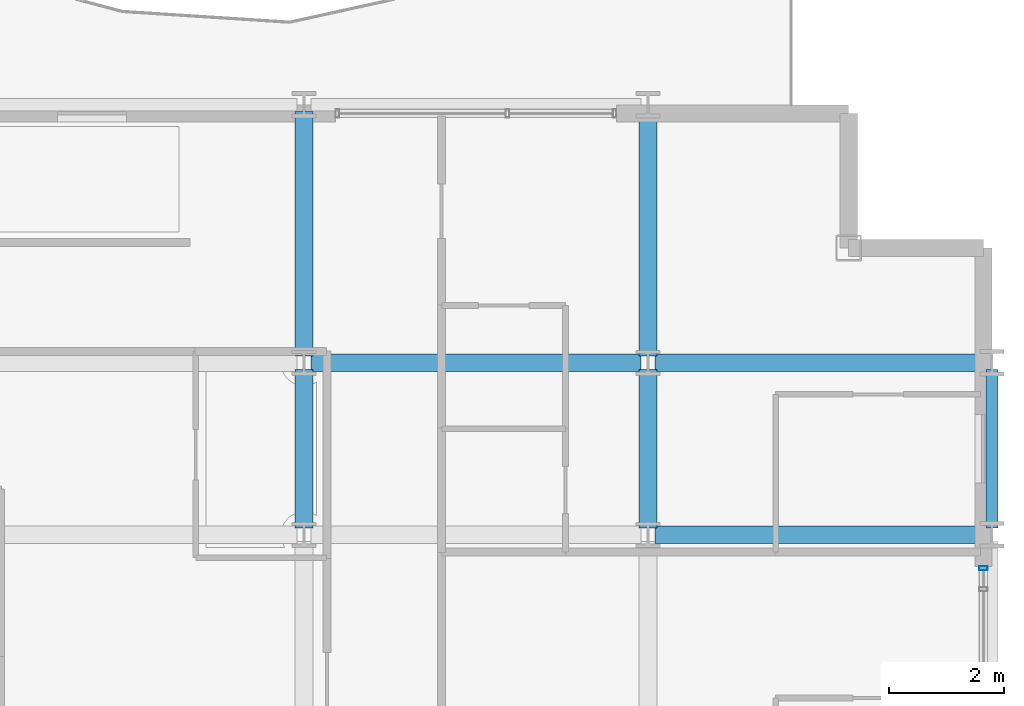
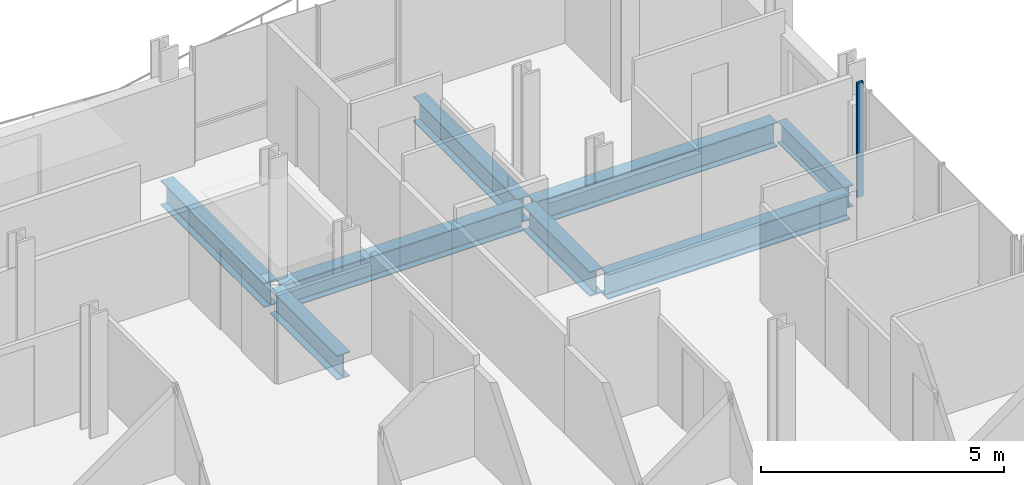
# One storey, part 20 of 41: 8 beams, 1 member, 1 element without a shape of its own.
"""IFC4 building model written with IfcOpenShell, lengths in metres."""

from ifc_helpers import new_model, si_unit, direction, frame, origin, origin_2d, place, context, subcontext, project, spatial, hollow_rectangle, i_section, extrude, material, layer, layer_set, material_profile, profile_set, type_object, element, aggregate, save


model = new_model("IFC4")

# Units and contexts
model_context = context("Model", 3, precision=1e-05, world=origin(), true_north=direction((0.0, 1.0)))
body_context = subcontext(model_context, "Body", "Model", "MODEL_VIEW")
ifc_project = project(units=[si_unit("LENGTHUNIT", "METRE"), si_unit("AREAUNIT", "SQUARE_METRE"), si_unit("VOLUMEUNIT", "CUBIC_METRE"), si_unit("PLANEANGLEUNIT", "RADIAN"), si_unit("MASSUNIT", "GRAM", prefix="KILO")], contexts=[model_context])

# Site, building, storey
site_placement = place(None, origin())
site = spatial("IfcSite", under=ifc_project, at=site_placement, CompositionType="ELEMENT")
building_placement = place(site_placement, origin())
building = spatial("IfcBuilding", under=site, at=building_placement, Name="Brevholm Reach", CompositionType="ELEMENT")
storey_placement = place(building_placement, frame((0.0, 0.0, 74.5)))
storey = spatial("IfcBuildingStorey", under=building, at=storey_placement, Name="L21", CompositionType="ELEMENT", Elevation=74.5)

# Beams
ifc_material_1 = material(Name="Structural Steel S355J2", Category="steel")
ifc_material_profile_1 = material_profile(ifc_material_1, i_section(OverallWidth=0.210693359375, OverallDepth=0.53955078125, WebThickness=0.01171875, FlangeThickness=0.018798828125, FilletRadius=0.0126953125, at=origin_2d()), Name="UKB 533x210x109")
ifc_profile_set_1 = profile_set([ifc_material_profile_1], Name="Structural Steel S355J2")
beam_type_1 = type_object("IfcBeamType", Name="BM-SP539", PredefinedType="SPANDREL", material=ifc_profile_set_1)
beam_1_placement = place(storey_placement, frame((60.0, 23.6201171875, -0.499755859375), z_axis=(0.0, 1.0, 0.0), x_axis=(-1.0, 0.0, 0.0)))
element("IfcBeam", 1, at=beam_1_placement, inside=storey, type_object=beam_type_1, Name="L21 SP-01B Framing Beam", PredefinedType="SPANDREL", context=body_context, shape_type="SweptSolid", body=[
    extrude(i_section(OverallWidth=0.210693359375, OverallDepth=0.53955078125, WebThickness=0.01171875, FlangeThickness=0.018798828125, FilletRadius=0.0126953125, at=origin_2d()), origin(), (0.0, 0.0, 1.0), 2.759765625),
])
ifc_material_2 = material(Name="Structural Steel S355J2", Category="steel")
ifc_material_profile_2 = material_profile(ifc_material_2, i_section(OverallWidth=0.30712890625, OverallDepth=0.6201171875, WebThickness=0.01416015625, FlangeThickness=0.023681640625, FilletRadius=0.0166015625, at=origin_2d()), Name="UKB 610x305x179")
ifc_profile_set_2 = profile_set([ifc_material_profile_2], Name="Structural Steel S355J2")
beam_type_2 = type_object("IfcBeamType", Name="BM-UKB610H", PredefinedType="USERDEFINED", material=ifc_profile_set_2)
for number, where, z_axis, x_axis, name in (
    (2, (54.1201171875, 23.5, -0.5400390625), (1.0, 0.0, 0.0), (0.0, 1.0, 0.0), "L21 G-06 Framing Beam"),
    (3, (48.1201171875, 26.5, -0.5400390625), (1.0, 0.0, 0.0), (0.0, 1.0, 0.0), "L21 G-06 Framing Beam"),
    (4, (54.1201171875, 26.5, -0.5400390625), (1.0, 0.0, 0.0), (0.0, 1.0, 0.0), "L21 G-06 Framing Beam"),
):
    element("IfcBeam", number, at=place(storey_placement, frame(where, z_axis=z_axis, x_axis=x_axis)), inside=storey, type_object=beam_type_2, Name=name, ObjectType="GIRDER", PredefinedType="USERDEFINED", context=body_context, shape_type="SweptSolid", body=[
        extrude(i_section(OverallWidth=0.30712890625, OverallDepth=0.6201171875, WebThickness=0.01416015625, FlangeThickness=0.023681640625, FilletRadius=0.0166015625, at=origin_2d()), origin(), (0.0, 0.0, 1.0), 5.759765625),
    ])
beam_2_placement = place(storey_placement, frame((48.0, 23.6201171875, -0.5400390625), z_axis=(0.0, 1.0, 0.0), x_axis=(-1.0, 0.0, 0.0)))
element("IfcBeam", 5, at=beam_2_placement, inside=storey, type_object=beam_type_2, Name="L21 G-06 Framing Beam", ObjectType="GIRDER", PredefinedType="USERDEFINED", context=body_context, shape_type="SweptSolid", body=[
    extrude(i_section(OverallWidth=0.30712890625, OverallDepth=0.6201171875, WebThickness=0.01416015625, FlangeThickness=0.023681640625, FilletRadius=0.0166015625, at=origin_2d()), origin(), (0.0, 0.0, 1.0), 2.759765625),
])
beam_3_placement = place(storey_placement, frame((48.0, 26.6201171875, -0.5400390625), z_axis=(0.0, 1.0, 0.0), x_axis=(-1.0, 0.0, 0.0)))
element("IfcBeam", 6, at=beam_3_placement, inside=storey, type_object=beam_type_2, Name="L21 G-06 Framing Beam", ObjectType="GIRDER", PredefinedType="USERDEFINED", context=body_context, shape_type="SweptSolid", body=[
    extrude(i_section(OverallWidth=0.30712890625, OverallDepth=0.6201171875, WebThickness=0.01416015625, FlangeThickness=0.023681640625, FilletRadius=0.0166015625, at=origin_2d()), origin(), (0.0, 0.0, 1.0), 4.259765625),
])
beam_4_placement = place(storey_placement, frame((54.0, 23.6201171875, -0.5400390625), z_axis=(0.0, 1.0, 0.0), x_axis=(-1.0, 0.0, 0.0)))
element("IfcBeam", 7, at=beam_4_placement, inside=storey, type_object=beam_type_2, Name="L21 G-06 Framing Beam", ObjectType="GIRDER", PredefinedType="USERDEFINED", context=body_context, shape_type="SweptSolid", body=[
    extrude(i_section(OverallWidth=0.30712890625, OverallDepth=0.6201171875, WebThickness=0.01416015625, FlangeThickness=0.023681640625, FilletRadius=0.0166015625, at=origin_2d()), origin(), (0.0, 0.0, 1.0), 2.759765625),
])
beam_5_placement = place(storey_placement, frame((54.0, 26.6201171875, -0.5400390625), z_axis=(0.0, 1.0, 0.0), x_axis=(-1.0, 0.0, 0.0)))
element("IfcBeam", 8, at=beam_5_placement, inside=storey, type_object=beam_type_2, Name="L21 G-06 Framing Beam", ObjectType="GIRDER", PredefinedType="USERDEFINED", context=body_context, shape_type="SweptSolid", body=[
    extrude(i_section(OverallWidth=0.30712890625, OverallDepth=0.6201171875, WebThickness=0.01416015625, FlangeThickness=0.023681640625, FilletRadius=0.0166015625, at=origin_2d()), origin(), (0.0, 0.0, 1.0), 4.259765625),
])

# Curtain wall, member
ifc_material_3 = material(Name="Dark Anodised Aluminium 6063-T6 and Solar-Control Glass", Category="aluminium")
ifc_layer = layer(ifc_material_3, 0.14990234375)
ifc_layer_set = layer_set([ifc_layer], Name="Dark Anodised Aluminium 6063-T6 and Solar-Control Glass")
curtain_wall_type = type_object("IfcCurtainWallType", Name="CW-01", PredefinedType="NOTDEFINED", material=ifc_layer_set)
curtain_wall_placement = place(storey_placement, origin())
curtain_wall = element("IfcCurtainWall", 9, at=curtain_wall_placement, inside=storey, type_object=curtain_wall_type, Name="L21 Curtain Wall CW-01", PredefinedType="NOTDEFINED")
ifc_material_4 = material(Name="Dark Anodised Aluminium 6063-T6", Category="aluminium")
ifc_material_profile_3 = material_profile(ifc_material_4, hollow_rectangle(XDim=0.06494140625, YDim=0.14990234375, WallThickness=0.0048828125, InnerFilletRadius=0.0048828125, OuterFilletRadius=0.010009765625, at=origin_2d()), Name="RHS 150x65x5")
ifc_profile_set_3 = profile_set([ifc_material_profile_3], Name="Dark Anodised Aluminium 6063-T6")
member_type = type_object("IfcMemberType", Name="CWM-150", PredefinedType="MULLION", material=ifc_profile_set_3)
member_placement = place(storey_placement, frame((59.85009765625, 22.91748046875, 0.0), z_axis=(0.0, 0.0, 1.0), x_axis=(0.0, 1.0, 0.0)))
member = element("IfcMember", 10, at=member_placement, type_object=member_type, Name="CM-150 Mullion 6", PredefinedType="MULLION", context=body_context, shape_type="SweptSolid", body=[
    extrude(hollow_rectangle(XDim=0.06494140625, YDim=0.14990234375, WallThickness=0.0048828125, InnerFilletRadius=0.0048828125, OuterFilletRadius=0.010009765625, at=origin_2d()), origin(), (0.0, 0.0, 1.0), 2.8701171875),
])
aggregate(curtain_wall, [member])

save(model, "model.ifc")
